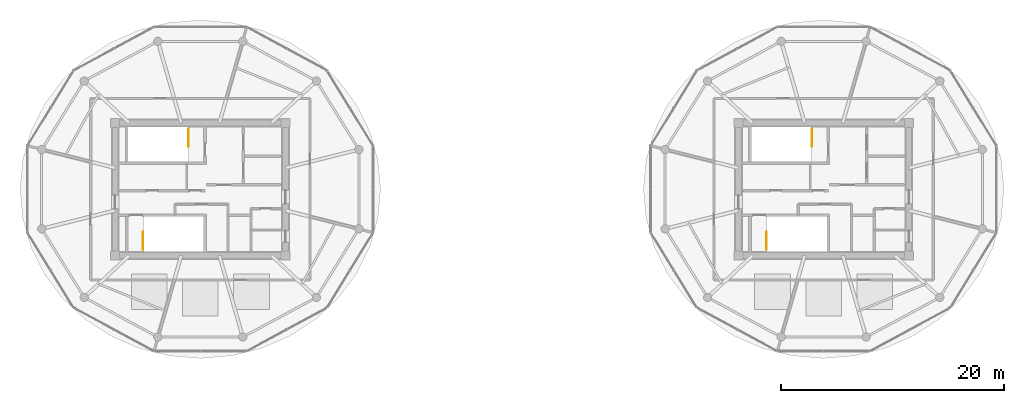
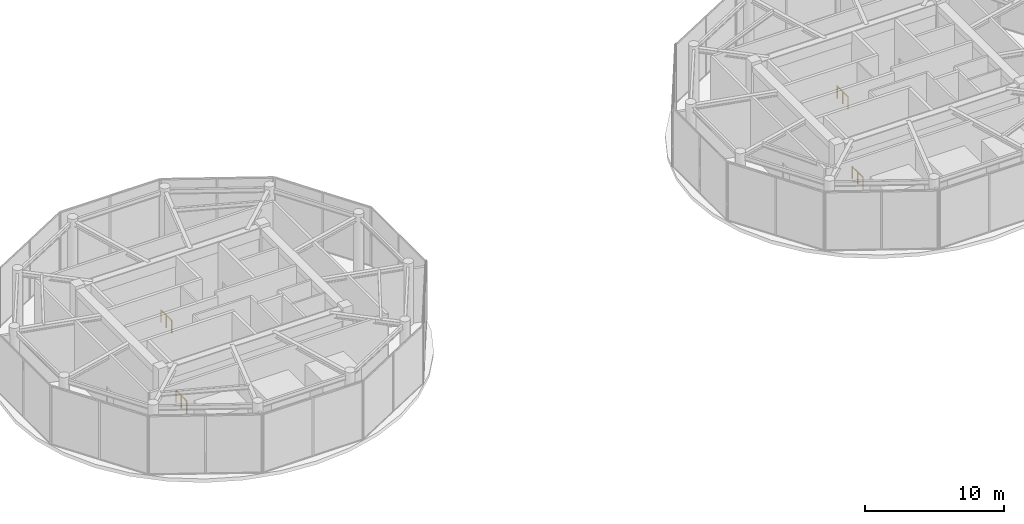
# One storey, part 14 of 15: 4 railings.
"""IFC4 building model written with IfcOpenShell, lengths in metres."""

from ifc_helpers import new_model, si_unit, direction, frame, origin, origin_2d, place, context, subcontext, project, spatial, rectangle, extrude, material, type_object, element, save


model = new_model("IFC4")

# Units and contexts
model_context = context("Model", 3, precision=1e-05, world=origin(), true_north=direction((0.0, 1.0)))
body_context = subcontext(model_context, "Body", "Model", "MODEL_VIEW")
ifc_project = project(units=[si_unit("LENGTHUNIT", "METRE"), si_unit("AREAUNIT", "SQUARE_METRE"), si_unit("VOLUMEUNIT", "CUBIC_METRE"), si_unit("PLANEANGLEUNIT", "RADIAN"), si_unit("MASSUNIT", "GRAM", prefix="KILO")], contexts=[model_context])

# Site, building, storey
site_placement = place(None, origin())
site = spatial("IfcSite", under=ifc_project, at=site_placement, CompositionType="ELEMENT")
building_placement = place(site_placement, origin())
building = spatial("IfcBuilding", under=site, at=building_placement, Name="Norrkilde Senior Care Towers", CompositionType="ELEMENT")
storey_placement = place(building_placement, frame((0.0, 0.0, 244.39990234375)))
storey = spatial("IfcBuildingStorey", under=building, at=storey_placement, Name="L76", CompositionType="ELEMENT", Elevation=244.39990234375)

# Railings
ifc_material = material(Name="Stainless Steel", Category="steel")
railing_type = type_object("IfcRailingType", Name="Stair and Terrace Guardrail 1100", PredefinedType="GUARDRAIL", material=ifc_material)
railing_1_placement = place(storey_placement, frame((-29.050048828125, 5.39990234375, 0.0)))
element("IfcRailing", 1, at=railing_1_placement, inside=storey, type_object=railing_type, Name="L76 ST-W1 top well guard 1", PredefinedType="GUARDRAIL", context=body_context, shape_type="SweptSolid", body=[
    extrude(rectangle(XDim=0.048095703125, YDim=0.048095703125, at=origin_2d()), frame((0.0, 0.0, 1.076171875), z_axis=(0.0, -1.0, 0.0), x_axis=(1.0, 0.0, 0.0)), (0.0, 0.0, 1.0), 1.5498046875),
    extrude(rectangle(XDim=0.0419921875, YDim=0.0419921875, at=origin_2d()), origin(), (0.0, 0.0, 1.0), 1.050048828125),
    extrude(rectangle(XDim=0.0419921875, YDim=0.0419921875, at=origin_2d()), frame((0.0, -0.77490234375, 0.0)), (0.0, 0.0, 1.0), 1.050048828125),
    extrude(rectangle(XDim=0.0419921875, YDim=0.0419921875, at=origin_2d()), frame((0.0, -1.5498046875, 0.0)), (0.0, 0.0, 1.0), 1.050048828125),
])
railing_2_placement = place(storey_placement, frame((-33.14990234375, -5.39990234375, 0.0)))
element("IfcRailing", 2, at=railing_2_placement, inside=storey, type_object=railing_type, Name="L76 ST-W2 top well guard 1", PredefinedType="GUARDRAIL", context=body_context, shape_type="SweptSolid", body=[
    extrude(rectangle(XDim=0.048095703125, YDim=0.048095703125, at=origin_2d()), frame((0.0, 0.0, 1.076171875), z_axis=(0.0, 1.0, 0.0), x_axis=(-1.0, 0.0, 0.0)), (0.0, 0.0, 1.0), 1.5498046875),
    extrude(rectangle(XDim=0.0419921875, YDim=0.0419921875, at=origin_2d()), origin(), (0.0, 0.0, 1.0), 1.050048828125),
    extrude(rectangle(XDim=0.0419921875, YDim=0.0419921875, at=origin_2d()), frame((0.0, 0.77490234375, 0.0)), (0.0, 0.0, 1.0), 1.050048828125),
    extrude(rectangle(XDim=0.0419921875, YDim=0.0419921875, at=origin_2d()), frame((0.0, 1.5498046875, 0.0)), (0.0, 0.0, 1.0), 1.050048828125),
])
railing_3_placement = place(storey_placement, frame((26.949951171875, 5.39990234375, 0.0)))
element("IfcRailing", 3, at=railing_3_placement, inside=storey, type_object=railing_type, Name="L76 ST-E1 top well guard 1", PredefinedType="GUARDRAIL", context=body_context, shape_type="SweptSolid", body=[
    extrude(rectangle(XDim=0.048095703125, YDim=0.048095703125, at=origin_2d()), frame((0.0, 0.0, 1.076171875), z_axis=(0.0, -1.0, 0.0), x_axis=(1.0, 0.0, 0.0)), (0.0, 0.0, 1.0), 1.5498046875),
    extrude(rectangle(XDim=0.0419921875, YDim=0.0419921875, at=origin_2d()), origin(), (0.0, 0.0, 1.0), 1.050048828125),
    extrude(rectangle(XDim=0.0419921875, YDim=0.0419921875, at=origin_2d()), frame((0.0, -0.77490234375, 0.0)), (0.0, 0.0, 1.0), 1.050048828125),
    extrude(rectangle(XDim=0.0419921875, YDim=0.0419921875, at=origin_2d()), frame((0.0, -1.5498046875, 0.0)), (0.0, 0.0, 1.0), 1.050048828125),
])
railing_4_placement = place(storey_placement, frame((22.85009765625, -5.39990234375, 0.0)))
element("IfcRailing", 4, at=railing_4_placement, inside=storey, type_object=railing_type, Name="L76 ST-E2 top well guard 1", PredefinedType="GUARDRAIL", context=body_context, shape_type="SweptSolid", body=[
    extrude(rectangle(XDim=0.048095703125, YDim=0.048095703125, at=origin_2d()), frame((0.0, 0.0, 1.076171875), z_axis=(0.0, 1.0, 0.0), x_axis=(-1.0, 0.0, 0.0)), (0.0, 0.0, 1.0), 1.5498046875),
    extrude(rectangle(XDim=0.0419921875, YDim=0.0419921875, at=origin_2d()), origin(), (0.0, 0.0, 1.0), 1.050048828125),
    extrude(rectangle(XDim=0.0419921875, YDim=0.0419921875, at=origin_2d()), frame((0.0, 0.77490234375, 0.0)), (0.0, 0.0, 1.0), 1.050048828125),
    extrude(rectangle(XDim=0.0419921875, YDim=0.0419921875, at=origin_2d()), frame((0.0, 1.5498046875, 0.0)), (0.0, 0.0, 1.0), 1.050048828125),
])

save(model, "model.ifc")
